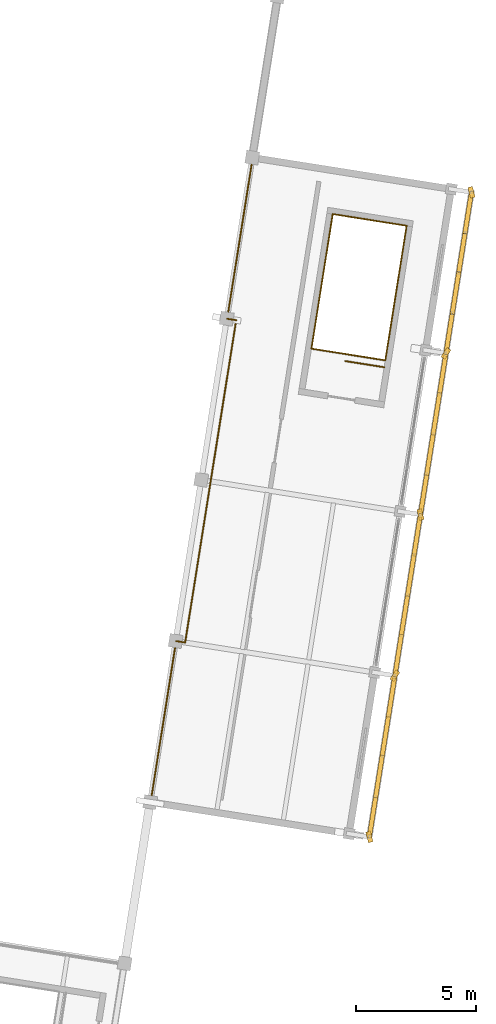
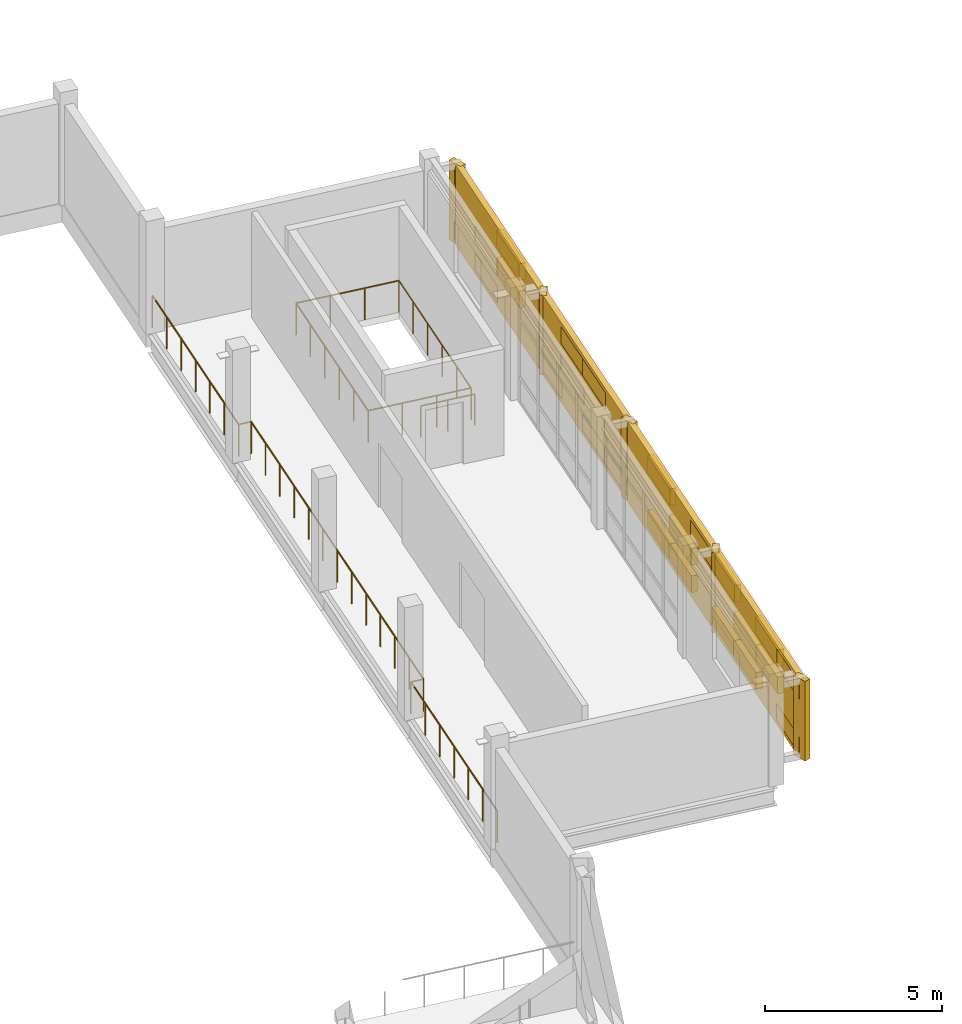
# One storey, part 116 of 117: 37 coverings, 10 railings, 4 shading devices.
"""IFC4 building model written with IfcOpenShell, lengths in metres."""

from ifc_helpers import new_model, si_unit, direction, frame, origin, origin_2d, place, context, subcontext, project, spatial, rectangle, circle, extrude, material, layer, layer_set, type_object, element, save


model = new_model("IFC4")

# Units and contexts
model_context = context("Model", 3, precision=1e-05, world=origin(), true_north=direction((0.0, 1.0)))
body_context = subcontext(model_context, "Body", "Model", "MODEL_VIEW")
ifc_project = project(units=[si_unit("LENGTHUNIT", "METRE"), si_unit("AREAUNIT", "SQUARE_METRE"), si_unit("VOLUMEUNIT", "CUBIC_METRE"), si_unit("PLANEANGLEUNIT", "RADIAN"), si_unit("MASSUNIT", "GRAM", prefix="KILO")], contexts=[model_context])

# Site, building, storey
site_placement = place(None, origin())
site = spatial("IfcSite", under=ifc_project, at=site_placement, CompositionType="ELEMENT")
building_placement = place(site_placement, origin())
building = spatial("IfcBuilding", under=site, at=building_placement, Name="Cinderway Yard Community Centre", CompositionType="ELEMENT")
storey_placement = place(building_placement, frame((0.0, 0.0, 9.0)))
storey = spatial("IfcBuildingStorey", under=building, at=storey_placement, Name="L02", CompositionType="ELEMENT", Elevation=9.0)

# Coverings
ifc_material_1 = material(Name="Brick Masonry", Category="masonry")
ifc_layer = layer(ifc_material_1, 0.18994140625, Name="Brick Masonry")
ifc_layer_set = layer_set([ifc_layer], Name="Brick Masonry")
covering_type = type_object("IfcCoveringType", Name="ENV-COV-BRK-SCREEN", PredefinedType="CLADDING", material=ifc_layer_set)
for number, where, z_axis, x_axis, name in (
    (1, (149.533935546875, 39.889892578125, 0.64990234375), (0.0, 0.0, 1.0), (0.258819045103, -0.965925826289, 0.0), "Deconstructivist folded brick fin 1430"),
    (2, (150.597900390625, 46.60693359375, 0.64990234375), (0.0, 0.0, 1.0), (-0.544639035015, -0.838670567945, 0.0), "Deconstructivist folded brick fin 1431"),
    (3, (151.662109375, 53.322998046875, 0.64990234375), (0.0, 0.0, 1.0), (0.258819045103, -0.965925826289, 0.0), "Deconstructivist folded brick fin 1432"),
    (4, (152.72607421875, 60.0390625, 0.64990234375), (0.0, 0.0, 1.0), (-0.544639035015, -0.838670567945, 0.0), "Deconstructivist folded brick fin 1433"),
    (5, (153.7890625, 66.7548828125, 0.64990234375), (0.0, 0.0, 1.0), (0.258819045103, -0.965925826289, 0.0), "Deconstructivist folded brick fin 1434"),
):
    element("IfcCovering", number, at=place(storey_placement, frame(where, z_axis=z_axis, x_axis=x_axis)), inside=storey, type_object=covering_type, Name=name, PredefinedType="CLADDING", context=body_context, shape_type="SweptSolid", body=[
        extrude(rectangle(XDim=0.4599609375, YDim=0.199951171875, at=origin_2d()), origin(), (0.0, 0.0, 1.0), 2.75),
    ])
for number, where, z_axis, x_axis, name in (
    (6, (149.6669921875, 40.72998046875, 0.79052734375), (0.0, 0.0, 1.0), (-0.15643446504, -0.987688340595, 0.0), "Open-bond perforated brick screen course 01435"),
    (7, (150.198974609375, 44.087890625, 0.79052734375), (0.0, 0.0, 1.0), (-0.15643446504, -0.987688340595, 0.0), "Open-bond perforated brick screen course 01436"),
    (8, (150.465087890625, 45.76708984375, 0.79052734375), (0.0, 0.0, 1.0), (-0.15643446504, -0.987688340595, 0.0), "Open-bond perforated brick screen course 01437"),
    (9, (149.93310546875, 42.408935546875, 1.736328125), (0.0, 0.0, 1.0), (-0.15643446504, -0.987688340595, 0.0), "Open-bond perforated brick screen course 01438"),
    (10, (150.198974609375, 44.087890625, 1.736328125), (0.0, 0.0, 1.0), (-0.15643446504, -0.987688340595, 0.0), "Open-bond perforated brick screen course 01439"),
    (11, (149.6669921875, 40.72998046875, 2.6826171875), (0.0, 0.0, 1.0), (-0.15643446504, -0.987688340595, 0.0), "Open-bond perforated brick screen course 01440"),
    (12, (149.93310546875, 42.408935546875, 2.6826171875), (0.0, 0.0, 1.0), (-0.15643446504, -0.987688340595, 0.0), "Open-bond perforated brick screen course 01441"),
    (13, (150.465087890625, 45.76708984375, 2.6826171875), (0.0, 0.0, 1.0), (-0.15643446504, -0.987688340595, 0.0), "Open-bond perforated brick screen course 01442"),
    (14, (150.9970703125, 49.1259765625, 0.79052734375), (0.0, 0.0, 1.0), (-0.15643446504, -0.987688340595, 0.0), "Open-bond perforated brick screen course 01443"),
    (15, (151.262939453125, 50.803955078125, 0.79052734375), (0.0, 0.0, 1.0), (-0.15643446504, -0.987688340595, 0.0), "Open-bond perforated brick screen course 01444"),
    (16, (150.73095703125, 47.447021484375, 1.736328125), (0.0, 0.0, 1.0), (-0.15643446504, -0.987688340595, 0.0), "Open-bond perforated brick screen course 01445"),
    (17, (150.9970703125, 49.1259765625, 1.736328125), (0.0, 0.0, 1.0), (-0.15643446504, -0.987688340595, 0.0), "Open-bond perforated brick screen course 01446"),
    (18, (151.529052734375, 52.48291015625, 1.736328125), (0.0, 0.0, 1.0), (-0.15643446504, -0.987688340595, 0.0), "Open-bond perforated brick screen course 01447"),
    (19, (150.73095703125, 47.447021484375, 2.6826171875), (0.0, 0.0, 1.0), (-0.15643446504, -0.987688340595, 0.0), "Open-bond perforated brick screen course 01448"),
    (20, (151.262939453125, 50.803955078125, 2.6826171875), (0.0, 0.0, 1.0), (-0.15643446504, -0.987688340595, 0.0), "Open-bond perforated brick screen course 01449"),
    (21, (151.529052734375, 52.48291015625, 2.6826171875), (0.0, 0.0, 1.0), (-0.15643446504, -0.987688340595, 0.0), "Open-bond perforated brick screen course 01450"),
    (22, (151.794921875, 54.1630859375, 0.79052734375), (0.0, 0.0, 1.0), (-0.15643446504, -0.987688340595, 0.0), "Open-bond perforated brick screen course 01451"),
    (23, (152.06103515625, 55.842041015625, 0.79052734375), (0.0, 0.0, 1.0), (-0.15643446504, -0.987688340595, 0.0), "Open-bond perforated brick screen course 01452"),
    (24, (152.593017578125, 59.199951171875, 0.79052734375), (0.0, 0.0, 1.0), (-0.15643446504, -0.987688340595, 0.0), "Open-bond perforated brick screen course 01453"),
    (25, (151.794921875, 54.1630859375, 1.736328125), (0.0, 0.0, 1.0), (-0.15643446504, -0.987688340595, 0.0), "Open-bond perforated brick screen course 01454"),
    (26, (152.326904296875, 57.52001953125, 1.736328125), (0.0, 0.0, 1.0), (-0.15643446504, -0.987688340595, 0.0), "Open-bond perforated brick screen course 01455"),
    (27, (152.593017578125, 59.199951171875, 1.736328125), (0.0, 0.0, 1.0), (-0.15643446504, -0.987688340595, 0.0), "Open-bond perforated brick screen course 01456"),
    (28, (152.06103515625, 55.842041015625, 2.6826171875), (0.0, 0.0, 1.0), (-0.15643446504, -0.987688340595, 0.0), "Open-bond perforated brick screen course 01457"),
    (29, (152.326904296875, 57.52001953125, 2.6826171875), (0.0, 0.0, 1.0), (-0.15643446504, -0.987688340595, 0.0), "Open-bond perforated brick screen course 01458"),
    (30, (152.85888671875, 60.87890625, 0.79052734375), (0.0, 0.0, 1.0), (-0.15643446504, -0.987688340595, 0.0), "Open-bond perforated brick screen course 01459"),
    (31, (153.389892578125, 64.236083984375, 0.79052734375), (0.0, 0.0, 1.0), (-0.15643446504, -0.987688340595, 0.0), "Open-bond perforated brick screen course 01460"),
    (32, (153.656005859375, 65.9150390625, 0.79052734375), (0.0, 0.0, 1.0), (-0.15643446504, -0.987688340595, 0.0), "Open-bond perforated brick screen course 01461"),
    (33, (153.125, 62.556884765625, 1.736328125), (0.0, 0.0, 1.0), (-0.15643446504, -0.987688340595, 0.0), "Open-bond perforated brick screen course 01462"),
    (34, (153.389892578125, 64.236083984375, 1.736328125), (0.0, 0.0, 1.0), (-0.15643446504, -0.987688340595, 0.0), "Open-bond perforated brick screen course 01463"),
    (35, (152.85888671875, 60.87890625, 2.6826171875), (0.0, 0.0, 1.0), (-0.15643446504, -0.987688340595, 0.0), "Open-bond perforated brick screen course 01464"),
    (36, (153.125, 62.556884765625, 2.6826171875), (0.0, 0.0, 1.0), (-0.15643446504, -0.987688340595, 0.0), "Open-bond perforated brick screen course 01465"),
    (37, (153.656005859375, 65.9150390625, 2.6826171875), (0.0, 0.0, 1.0), (-0.15643446504, -0.987688340595, 0.0), "Open-bond perforated brick screen course 01466"),
):
    element("IfcCovering", number, at=place(storey_placement, frame(where, z_axis=z_axis, x_axis=x_axis)), inside=storey, type_object=covering_type, Name=name, PredefinedType="CLADDING", context=body_context, shape_type="SweptSolid", body=[
        extrude(rectangle(XDim=1.780029296875, YDim=0.18994140625, at=origin_2d()), origin(), (0.0, 0.0, 1.0), 0.576904296875),
    ])

# Shading devices
shading_device_type = type_object("IfcShadingDeviceType", Name="ENV-SHD-BRICKSCREEN-A", PredefinedType="USERDEFINED", material=ifc_material_1)
shading_device_placement = place(storey_placement, frame((150.06591796875, 43.248046875, 0.64990234375), z_axis=(0.0, 0.0, 1.0), x_axis=(-0.15643446504, -0.987688340595, 0.0)))
element("IfcShadingDevice", 38, at=shading_device_placement, inside=storey, type_object=shading_device_type, Name="Sports Hall East Perforated Brick Screen 1090", ObjectType="PERFORATED BRICK SCREEN", PredefinedType="USERDEFINED", context=body_context, shape_type="SweptSolid", body=[
    extrude(rectangle(XDim=6.60107421875, YDim=0.18994140625, at=origin_2d()), origin(), (0.0, 0.0, 1.0), 2.75),
])
for number, where, z_axis, x_axis, name in (
    (39, (151.1298828125, 49.965087890625, 0.64990234375), (0.0, 0.0, 1.0), (-0.15643446504, -0.987688340595, 0.0), "Sports Hall East Perforated Brick Screen 1097"),
    (40, (152.194091796875, 56.680908203125, 0.64990234375), (0.0, 0.0, 1.0), (-0.15643446504, -0.987688340595, 0.0), "Sports Hall East Perforated Brick Screen 1104"),
    (41, (153.257080078125, 63.39697265625, 0.64990234375), (0.0, 0.0, 1.0), (-0.15643446504, -0.987688340595, 0.0), "Sports Hall East Perforated Brick Screen 1111"),
):
    element("IfcShadingDevice", number, at=place(storey_placement, frame(where, z_axis=z_axis, x_axis=x_axis)), inside=storey, type_object=shading_device_type, Name=name, ObjectType="PERFORATED BRICK SCREEN", PredefinedType="USERDEFINED", context=body_context, shape_type="SweptSolid", body=[
        extrude(rectangle(XDim=6.60009765625, YDim=0.18994140625, at=origin_2d()), origin(), (0.0, 0.0, 1.0), 2.75),
    ])

# Railings
ifc_material_2 = material(Name="Painted Galvanised Steel", Category="steel")
railing_type_1 = type_object("IfcRailingType", Name="INT-RAL-BAL112", PredefinedType="BALUSTRADE", material=ifc_material_2)
railing_1_placement = place(storey_placement, frame((140.41796875, 41.333984375, 0.0)))
element("IfcRailing", 42, at=railing_1_placement, inside=storey, type_object=railing_type_1, Name="Sports Balcony Guard L02 021", PredefinedType="BALUSTRADE", context=body_context, shape_type="SweptSolid", body=[
    extrude(circle(Radius=0.02392578125, at=origin_2d()), frame((0.0, 0.0, 1.09619140625), z_axis=(0.156329470887, 0.987704964315, 0.0), x_axis=(-0.987704964315, 0.156329470887, 0.0)), (0.0, 0.0, 1.0), 6.799560546875),
    extrude(circle(Radius=0.02099609375, at=origin_2d()), origin(), (0.0, 0.0, 1.0), 1.072021484375),
    extrude(circle(Radius=0.02099609375, at=origin_2d()), frame((0.17724609375, 1.119384765625, 0.0)), (0.0, 0.0, 1.0), 1.072021484375),
    extrude(circle(Radius=0.02099609375, at=origin_2d()), frame((0.354248046875, 2.23876953125, 0.0)), (0.0, 0.0, 1.0), 1.072021484375),
    extrude(circle(Radius=0.02099609375, at=origin_2d()), frame((0.531494140625, 3.35791015625, 0.0)), (0.0, 0.0, 1.0), 1.072021484375),
    extrude(circle(Radius=0.02099609375, at=origin_2d()), frame((0.708740234375, 4.477294921875, 0.0)), (0.0, 0.0, 1.0), 1.072021484375),
    extrude(circle(Radius=0.02099609375, at=origin_2d()), frame((0.8857421875, 5.5966796875, 0.0)), (0.0, 0.0, 1.0), 1.072021484375),
    extrude(circle(Radius=0.02099609375, at=origin_2d()), frame((1.06298828125, 6.716064453125, 0.0)), (0.0, 0.0, 1.0), 1.072021484375),
])
railing_2_placement = place(storey_placement, frame((141.48095703125, 48.050048828125, 0.0)))
element("IfcRailing", 43, at=railing_2_placement, inside=storey, type_object=railing_type_1, Name="Sports Balcony Guard L02 022", PredefinedType="BALUSTRADE", context=body_context, shape_type="SweptSolid", body=[
    extrude(circle(Radius=0.02392578125, at=origin_2d()), frame((0.0, 0.0, 1.09619140625), z_axis=(0.987877125404, -0.155237833992, 0.0), x_axis=(0.155237833992, 0.987877125404, 0.0)), (0.0, 0.0, 1.0), 0.380615234375),
    extrude(circle(Radius=0.02099609375, at=origin_2d()), origin(), (0.0, 0.0, 1.0), 1.072021484375),
    extrude(circle(Radius=0.02099609375, at=origin_2d()), frame((0.3759765625, -0.05908203125, 0.0)), (0.0, 0.0, 1.0), 1.072021484375),
])
railing_3_placement = place(storey_placement, frame((141.85693359375, 47.990966796875, 0.0)))
element("IfcRailing", 44, at=railing_3_placement, inside=storey, type_object=railing_type_1, Name="Sports Balcony Guard L02 023", PredefinedType="BALUSTRADE", context=body_context, shape_type="SweptSolid", body=[
    extrude(circle(Radius=0.02392578125, at=origin_2d()), frame((0.0, 0.0, 1.09619140625), z_axis=(0.156388432473, 0.987695630338, 0.0), x_axis=(-0.987695630338, 0.156388432473, 0.0)), (0.0, 0.0, 1.0), 13.600341796875),
    extrude(circle(Radius=0.02099609375, at=origin_2d()), origin(), (0.0, 0.0, 1.0), 1.072021484375),
    extrude(circle(Radius=0.02099609375, at=origin_2d()), frame((0.17724609375, 1.119384765625, 0.0)), (0.0, 0.0, 1.0), 1.072021484375),
    extrude(circle(Radius=0.02099609375, at=origin_2d()), frame((0.3544921875, 2.23876953125, 0.0)), (0.0, 0.0, 1.0), 1.072021484375),
    extrude(circle(Radius=0.02099609375, at=origin_2d()), frame((0.53173828125, 3.3583984375, 0.0)), (0.0, 0.0, 1.0), 1.072021484375),
    extrude(circle(Radius=0.02099609375, at=origin_2d()), frame((0.708984375, 4.477783203125, 0.0)), (0.0, 0.0, 1.0), 1.072021484375),
    extrude(circle(Radius=0.02099609375, at=origin_2d()), frame((0.88623046875, 5.59716796875, 0.0)), (0.0, 0.0, 1.0), 1.072021484375),
    extrude(circle(Radius=0.02099609375, at=origin_2d()), frame((1.0634765625, 6.716552734375, 0.0)), (0.0, 0.0, 1.0), 1.072021484375),
    extrude(circle(Radius=0.02099609375, at=origin_2d()), frame((1.24072265625, 7.8359375, 0.0)), (0.0, 0.0, 1.0), 1.072021484375),
    extrude(circle(Radius=0.02099609375, at=origin_2d()), frame((1.41796875, 8.955322265625, 0.0)), (0.0, 0.0, 1.0), 1.072021484375),
    extrude(circle(Radius=0.02099609375, at=origin_2d()), frame((1.59521484375, 10.07470703125, 0.0)), (0.0, 0.0, 1.0), 1.072021484375),
    extrude(circle(Radius=0.02099609375, at=origin_2d()), frame((1.7724609375, 11.1943359375, 0.0)), (0.0, 0.0, 1.0), 1.072021484375),
    extrude(circle(Radius=0.02099609375, at=origin_2d()), frame((1.94970703125, 12.313720703125, 0.0)), (0.0, 0.0, 1.0), 1.072021484375),
    extrude(circle(Radius=0.02099609375, at=origin_2d()), frame((2.126953125, 13.43310546875, 0.0)), (0.0, 0.0, 1.0), 1.072021484375),
])
railing_4_placement = place(storey_placement, frame((143.98388671875, 61.424072265625, 0.0)))
element("IfcRailing", 45, at=railing_4_placement, inside=storey, type_object=railing_type_1, Name="Sports Balcony Guard L02 024", PredefinedType="BALUSTRADE", context=body_context, shape_type="SweptSolid", body=[
    extrude(circle(Radius=0.02392578125, at=origin_2d()), frame((0.0, 0.0, 1.09619140625), z_axis=(-0.987913733521, 0.155004693866, 0.0), x_axis=(-0.155004693866, -0.987913733521, 0.0)), (0.0, 0.0, 1.0), 0.379638671875),
    extrude(circle(Radius=0.02099609375, at=origin_2d()), origin(), (0.0, 0.0, 1.0), 1.072021484375),
    extrude(circle(Radius=0.02099609375, at=origin_2d()), frame((-0.375, 0.058837890625, 0.0)), (0.0, 0.0, 1.0), 1.072021484375),
])
railing_5_placement = place(storey_placement, frame((143.60888671875, 61.48291015625, 0.0)))
element("IfcRailing", 46, at=railing_5_placement, inside=storey, type_object=railing_type_1, Name="Sports Balcony Guard L02 025", PredefinedType="BALUSTRADE", context=body_context, shape_type="SweptSolid", body=[
    extrude(circle(Radius=0.02392578125, at=origin_2d()), frame((0.0, 0.0, 1.09619140625), z_axis=(0.15650460011, 0.987677229739, 0.0), x_axis=(-0.987677229739, 0.15650460011, 0.0)), (0.0, 0.0, 1.0), 6.7998046875),
    extrude(circle(Radius=0.02099609375, at=origin_2d()), origin(), (0.0, 0.0, 1.0), 1.072021484375),
    extrude(circle(Radius=0.02099609375, at=origin_2d()), frame((0.17724609375, 1.119384765625, 0.0)), (0.0, 0.0, 1.0), 1.072021484375),
    extrude(circle(Radius=0.02099609375, at=origin_2d()), frame((0.354736328125, 2.23876953125, 0.0)), (0.0, 0.0, 1.0), 1.072021484375),
    extrude(circle(Radius=0.02099609375, at=origin_2d()), frame((0.5322265625, 3.35791015625, 0.0)), (0.0, 0.0, 1.0), 1.072021484375),
    extrude(circle(Radius=0.02099609375, at=origin_2d()), frame((0.70947265625, 4.477294921875, 0.0)), (0.0, 0.0, 1.0), 1.072021484375),
    extrude(circle(Radius=0.02099609375, at=origin_2d()), frame((0.88671875, 5.5966796875, 0.0)), (0.0, 0.0, 1.0), 1.072021484375),
    extrude(circle(Radius=0.02099609375, at=origin_2d()), frame((1.064208984375, 6.716064453125, 0.0)), (0.0, 0.0, 1.0), 1.072021484375),
])
railing_type_2 = type_object("IfcRailingType", Name="INT-RAL-GRD112", PredefinedType="GUARDRAIL", material=ifc_material_2)
railing_6_placement = place(storey_placement, frame((150.15380859375, 59.46435546875, 0.0)))
element("IfcRailing", 47, at=railing_6_placement, inside=storey, type_object=railing_type_2, Name="L02 ST-08 top well guard 1", PredefinedType="GUARDRAIL", context=body_context, shape_type="SweptSolid", body=[
    extrude(circle(Radius=0.02392578125, at=origin_2d()), frame((0.0, 0.0, 1.076171875), z_axis=(-0.987685597944, 0.156451780473, 0.0), x_axis=(-0.156451780473, -0.987685597944, 0.0)), (0.0, 0.0, 1.0), 1.64013671875),
    extrude(circle(Radius=0.02099609375, at=origin_2d()), origin(), (0.0, 0.0, 1.0), 1.052001953125),
    extrude(circle(Radius=0.02099609375, at=origin_2d()), frame((-0.81005859375, 0.12841796875, 0.0)), (0.0, 0.0, 1.0), 1.052001953125),
    extrude(circle(Radius=0.02099609375, at=origin_2d()), frame((-1.619873046875, 0.256591796875, 0.0)), (0.0, 0.0, 1.0), 1.052001953125),
])
railing_7_placement = place(storey_placement, frame((150.199951171875, 59.7509765625, 0.0)))
element("IfcRailing", 48, at=railing_7_placement, inside=storey, type_object=railing_type_2, Name="Service void perimeter guard L02 127", PredefinedType="GUARDRAIL", context=body_context, shape_type="SweptSolid", body=[
    extrude(circle(Radius=0.02392578125, at=origin_2d()), frame((0.0, 0.0, 1.09619140625), z_axis=(0.156328963289, 0.987705044655, 0.0), x_axis=(-0.987705044655, 0.156328963289, 0.0)), (0.0, 0.0, 1.0), 5.679931640625),
    extrude(circle(Radius=0.02099609375, at=origin_2d()), origin(), (0.0, 0.0, 1.0), 1.072021484375),
    extrude(circle(Radius=0.02099609375, at=origin_2d()), frame((0.177490234375, 1.1220703125, 0.0)), (0.0, 0.0, 1.0), 1.072021484375),
    extrude(circle(Radius=0.02099609375, at=origin_2d()), frame((0.355224609375, 2.244140625, 0.0)), (0.0, 0.0, 1.0), 1.072021484375),
    extrude(circle(Radius=0.02099609375, at=origin_2d()), frame((0.53271484375, 3.365966796875, 0.0)), (0.0, 0.0, 1.0), 1.072021484375),
    extrude(circle(Radius=0.02099609375, at=origin_2d()), frame((0.71044921875, 4.488037109375, 0.0)), (0.0, 0.0, 1.0), 1.072021484375),
    extrude(circle(Radius=0.02099609375, at=origin_2d()), frame((0.887939453125, 5.610107421875, 0.0)), (0.0, 0.0, 1.0), 1.072021484375),
])
railing_8_placement = place(storey_placement, frame((151.087890625, 65.361083984375, 0.0)))
element("IfcRailing", 49, at=railing_8_placement, inside=storey, type_object=railing_type_2, Name="Service void perimeter guard L02 128", PredefinedType="GUARDRAIL", context=body_context, shape_type="SweptSolid", body=[
    extrude(circle(Radius=0.02392578125, at=origin_2d()), frame((0.0, 0.0, 1.09619140625), z_axis=(-0.987691807526, 0.15641257413, 0.0), x_axis=(-0.15641257413, -0.987691807526, 0.0)), (0.0, 0.0, 1.0), 3.1201171875),
    extrude(circle(Radius=0.02099609375, at=origin_2d()), origin(), (0.0, 0.0, 1.0), 1.072021484375),
    extrude(circle(Radius=0.02099609375, at=origin_2d()), frame((-1.02734375, 0.16259765625, 0.0)), (0.0, 0.0, 1.0), 1.072021484375),
    extrude(circle(Radius=0.02099609375, at=origin_2d()), frame((-2.054443359375, 0.325439453125, 0.0)), (0.0, 0.0, 1.0), 1.072021484375),
    extrude(circle(Radius=0.02099609375, at=origin_2d()), frame((-3.081787109375, 0.488037109375, 0.0)), (0.0, 0.0, 1.0), 1.072021484375),
])
railing_9_placement = place(storey_placement, frame((148.006103515625, 65.84912109375, 0.0)))
element("IfcRailing", 50, at=railing_9_placement, inside=storey, type_object=railing_type_2, Name="Service void perimeter guard L02 129", PredefinedType="GUARDRAIL", context=body_context, shape_type="SweptSolid", body=[
    extrude(circle(Radius=0.02392578125, at=origin_2d()), frame((0.0, 0.0, 1.09619140625), z_axis=(-0.15637089536, -0.987698406946, 0.0), x_axis=(0.987698406946, -0.15637089536, 0.0)), (0.0, 0.0, 1.0), 5.679931640625),
    extrude(circle(Radius=0.02099609375, at=origin_2d()), origin(), (0.0, 0.0, 1.0), 1.072021484375),
    extrude(circle(Radius=0.02099609375, at=origin_2d()), frame((-0.177734375, -1.1220703125, 0.0)), (0.0, 0.0, 1.0), 1.072021484375),
    extrude(circle(Radius=0.02099609375, at=origin_2d()), frame((-0.355224609375, -2.244140625, 0.0)), (0.0, 0.0, 1.0), 1.072021484375),
    extrude(circle(Radius=0.02099609375, at=origin_2d()), frame((-0.532958984375, -3.365966796875, 0.0)), (0.0, 0.0, 1.0), 1.072021484375),
    extrude(circle(Radius=0.02099609375, at=origin_2d()), frame((-0.71044921875, -4.488037109375, 0.0)), (0.0, 0.0, 1.0), 1.072021484375),
    extrude(circle(Radius=0.02099609375, at=origin_2d()), frame((-0.88818359375, -5.610107421875, 0.0)), (0.0, 0.0, 1.0), 1.072021484375),
])
railing_10_placement = place(storey_placement, frame((147.117919921875, 60.239013671875, 0.0)))
element("IfcRailing", 51, at=railing_10_placement, inside=storey, type_object=railing_type_2, Name="Service void perimeter guard L02 130", PredefinedType="GUARDRAIL", context=body_context, shape_type="SweptSolid", body=[
    extrude(circle(Radius=0.02392578125, at=origin_2d()), frame((0.0, 0.0, 1.09619140625), z_axis=(0.98769372157, -0.156400487121, 0.0), x_axis=(0.156400487121, 0.98769372157, 0.0)), (0.0, 0.0, 1.0), 3.120361328125),
    extrude(circle(Radius=0.02099609375, at=origin_2d()), origin(), (0.0, 0.0, 1.0), 1.072021484375),
    extrude(circle(Radius=0.02099609375, at=origin_2d()), frame((1.02734375, -0.16259765625, 0.0)), (0.0, 0.0, 1.0), 1.072021484375),
    extrude(circle(Radius=0.02099609375, at=origin_2d()), frame((2.0546875, -0.325439453125, 0.0)), (0.0, 0.0, 1.0), 1.072021484375),
    extrude(circle(Radius=0.02099609375, at=origin_2d()), frame((3.08203125, -0.488037109375, 0.0)), (0.0, 0.0, 1.0), 1.072021484375),
])

save(model, "model.ifc")
